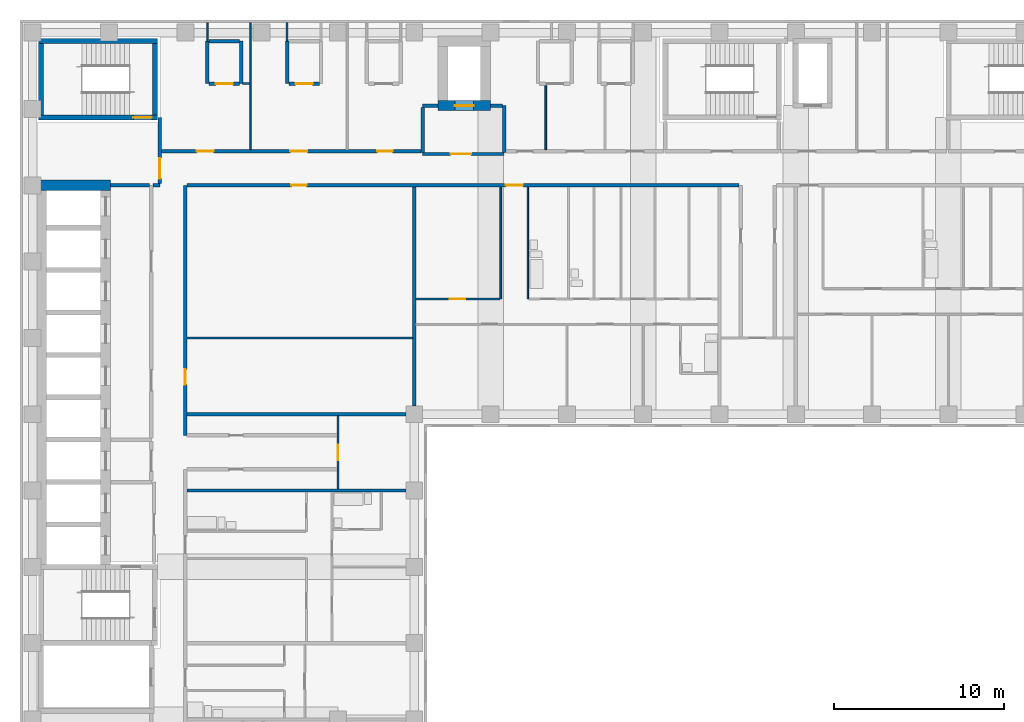
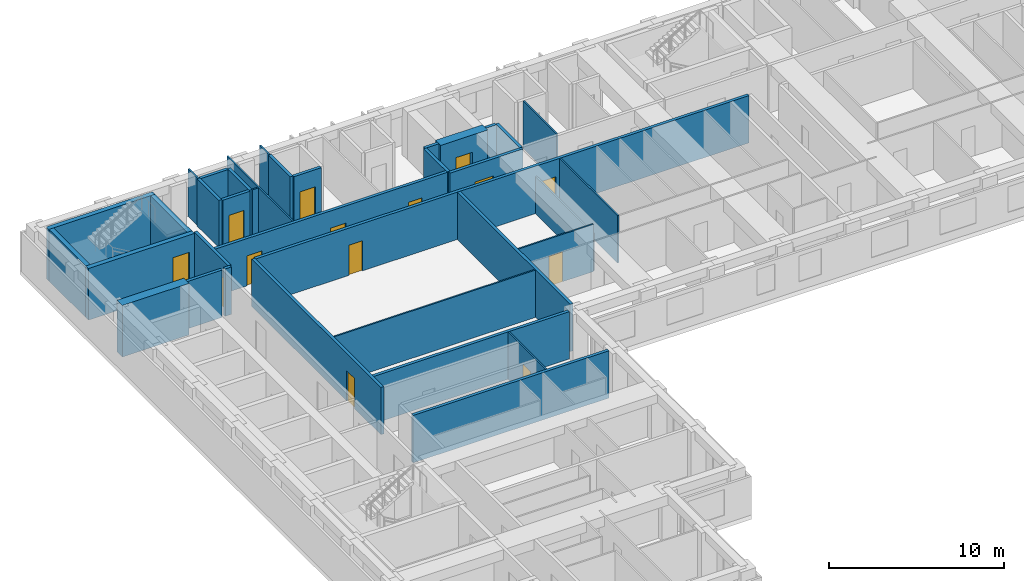
# One storey, part 5 of 12: 36 walls, 14 doors, 14 openings.
"""IFC4 building model written with IfcOpenShell, lengths in metres."""

from ifc_helpers import new_model, si_unit, direction, frame, frame_2d, origin, place, context, subcontext, project, spatial, rectangle, extrude, material, layer, layer_set, type_object, element, fill, save


model = new_model("IFC4")

# Units and contexts
model_context = context("Model", 3, precision=1e-05, world=origin(), true_north=direction((0.0, 1.0)))
body_context = subcontext(model_context, "Body", "Model", "MODEL_VIEW")
ifc_project = project(units=[si_unit("LENGTHUNIT", "METRE"), si_unit("AREAUNIT", "SQUARE_METRE"), si_unit("VOLUMEUNIT", "CUBIC_METRE"), si_unit("PLANEANGLEUNIT", "RADIAN"), si_unit("MASSUNIT", "GRAM", prefix="KILO")], contexts=[model_context])

# Site, building, storey
site_placement = place(None, origin())
site = spatial("IfcSite", under=ifc_project, at=site_placement, CompositionType="ELEMENT")
building_placement = place(site_placement, origin())
building = spatial("IfcBuilding", under=site, at=building_placement, Name="Firuza Court", CompositionType="ELEMENT")
storey_placement = place(building_placement, frame((0.0, 0.0, 155.60009765625)))
storey = spatial("IfcBuildingStorey", under=building, at=storey_placement, Name="L39", CompositionType="ELEMENT", Elevation=155.60009765625)

# Wall
ifc_material_1 = material(Name="Moisture-resistant gypsum board partition")
ifc_layer_1 = layer(ifc_material_1, 0.10009765625)
ifc_layer_set_1 = layer_set([ifc_layer_1], Name="Moisture-resistant gypsum board partition")
wall_type_1 = type_object("IfcWallType", Name="Bathroom partition 100", PredefinedType="PLUMBINGWALL", material=ifc_layer_set_1)
wall_1_placement = place(storey_placement, frame((29.199951171875, 42.800048828125, 0.0), z_axis=(0.0, 0.0, 1.0), x_axis=(0.0, 1.0, 0.0)))
element("IfcWall", 1, at=wall_1_placement, inside=storey, type_object=wall_type_1, Name="Bathroom partition 100 L39", PredefinedType="PLUMBINGWALL", context=body_context, shape_type="SweptSolid", body=[
    extrude(rectangle(XDim=6.599853515625, YDim=0.10009765625, at=frame_2d((3.2998046875, 0.0))), origin(), (0.0, 0.0, 1.0), 3.2998046875),
])

# Wall, opening, door
ifc_material_2 = material(Name="Concrete C60/75", Category="concrete")
ifc_layer_2 = layer(ifc_material_2, 0.300048828125)
ifc_layer_set_2 = layer_set([ifc_layer_2], Name="Concrete C60/75")
wall_type_2 = type_object("IfcWallType", Name="Core wall 300 C60/75", PredefinedType="SHEAR", material=ifc_layer_set_2)
wall_2_placement = place(storey_placement, frame((0.35009765625, 53.5, -0.300048828125), z_axis=(0.0, 0.0, 1.0), x_axis=(1.0, 0.0, 0.0)))
wall_2 = element("IfcWall", 2, at=wall_2_placement, inside=storey, type_object=wall_type_2, Name="Core wall stair L39", PredefinedType="SHEAR", context=body_context, shape_type="SweptSolid", body=[
    extrude(rectangle(XDim=7.0, YDim=0.300048828125, at=frame_2d((3.5, 0.0))), origin(), (0.0, 0.0, 1.0), 3.599853515625),
])
opening_1_placement = place(wall_2_placement, frame((5.580078125, 0.0, 0.300048828125)))
opening_1 = element("IfcOpeningElement", 3, at=opening_1_placement, cuts=wall_2, Name="Opening D39015", PredefinedType="OPENING", context=body_context, shape_type="SweptSolid", body=[
    extrude(rectangle(XDim=1.10009765625, YDim=2.10009765625, at=frame_2d((0.550048828125, 1.050048828125))), frame((0.0, 0.162109375, 0.0), z_axis=(0.0, -1.0, 0.0), x_axis=(1.0, 0.0, 0.0)), (0.0, 0.0, 1.0), 0.323974609375),
])
ifc_material_3 = material(Name="Timber door leaf in hardwood frame", Category="wood")
door_type_1 = type_object("IfcDoorType", Name="Stair door 1100", OperationType="SINGLE_SWING_LEFT", PredefinedType="DOOR", material=ifc_material_3)
door_1_placement = place(opening_1_placement, origin())
door_1 = element("IfcDoor", 4, at=door_1_placement, inside=storey, type_object=door_type_1, Name="Stair door S3", OperationType="SINGLE_SWING_RIGHT", OverallHeight=2.10009765625, OverallWidth=1.10009765625, PredefinedType="DOOR", context=body_context, shape_type="SweptSolid", body=[
    extrude(rectangle(XDim=1.10009765625, YDim=2.10009765625, at=frame_2d((0.550048828125, 1.050048828125))), frame((0.0, 0.02490234375, 0.0), z_axis=(0.0, -1.0, 0.0), x_axis=(1.0, 0.0, 0.0)), (0.0, 0.0, 1.0), 0.050048828125),
])
fill(opening_1, door_1)

# Walls
wall_3_placement = place(storey_placement, frame((0.35009765625, 58.0, -0.300048828125), z_axis=(0.0, 0.0, 1.0), x_axis=(1.0, 0.0, 0.0)))
element("IfcWall", 5, at=wall_3_placement, inside=storey, type_object=wall_type_2, Name="Core wall stair L39", PredefinedType="SHEAR", context=body_context, shape_type="SweptSolid", body=[
    extrude(rectangle(XDim=7.0, YDim=0.300048828125, at=frame_2d((3.5, 0.0))), origin(), (0.0, 0.0, 1.0), 3.599853515625),
])
for number, where, z_axis, x_axis, name in (
    (6, (0.5, 53.64990234375, -0.300048828125), (0.0, 0.0, 1.0), (0.0, 1.0, 0.0), "Core wall stair L39"),
    (7, (7.199951171875, 53.64990234375, -0.300048828125), (0.0, 0.0, 1.0), (0.0, 1.0, 0.0), "Core wall stair L39"),
):
    element("IfcWall", number, at=place(storey_placement, frame(where, z_axis=z_axis, x_axis=x_axis)), inside=storey, type_object=wall_type_2, Name=name, PredefinedType="SHEAR", context=body_context, shape_type="SweptSolid", body=[
        extrude(rectangle(XDim=4.2001953125, YDim=0.300048828125, at=frame_2d((2.10009765625, 0.0))), origin(), (0.0, 0.0, 1.0), 3.599853515625),
    ])
ifc_layer_3 = layer(ifc_material_2, 0.60009765625)
ifc_layer_set_3 = layer_set([ifc_layer_3], Name="Concrete C60/75")
wall_type_3 = type_object("IfcWallType", Name="Core wall 600 C60/75", PredefinedType="SHEAR", material=ifc_layer_set_3)
wall_4_placement = place(storey_placement, frame((0.199951171875, 49.5, -0.300048828125), z_axis=(0.0, 0.0, 1.0), x_axis=(1.0, 0.0, 0.0)))
element("IfcWall", 8, at=wall_4_placement, inside=storey, type_object=wall_type_3, Name="Core wall lift shaft L39", PredefinedType="SHEAR", context=body_context, shape_type="SweptSolid", body=[
    extrude(rectangle(XDim=4.400146484375, YDim=0.60009765625, at=frame_2d((2.2001953125, 0.0))), origin(), (0.0, 0.0, 1.0), 3.599853515625),
])

# Wall, opening, door
wall_5_placement = place(storey_placement, frame((23.89990234375, 54.199951171875, -0.300048828125), z_axis=(0.0, 0.0, 1.0), x_axis=(1.0, 0.0, 0.0)))
wall_5 = element("IfcWall", 9, at=wall_5_placement, inside=storey, type_object=wall_type_3, Name="Core wall lift shaft L39", PredefinedType="SHEAR", context=body_context, shape_type="SweptSolid", body=[
    extrude(rectangle(XDim=3.10009765625, YDim=0.60009765625, at=frame_2d((1.550048828125, 0.0))), origin(), (0.0, 0.0, 1.0), 3.599853515625),
])
opening_2_placement = place(wall_5_placement, frame((1.0, 0.0, 0.300048828125)))
opening_2 = element("IfcOpeningElement", 10, at=opening_2_placement, cuts=wall_5, Name="Opening LD-FL3-39", PredefinedType="OPENING", context=body_context, shape_type="SweptSolid", body=[
    extrude(rectangle(XDim=1.10009765625, YDim=2.10009765625, at=frame_2d((0.550048828125, 1.050048828125))), frame((0.0, 0.31201171875, 0.0), z_axis=(0.0, -1.0, 0.0), x_axis=(1.0, 0.0, 0.0)), (0.0, 0.0, 1.0), 0.6240234375),
])
ifc_material_4 = material(Name="Stainless steel 1.4301 door leaf", Category="steel")
door_type_2 = type_object("IfcDoorType", Name="Lift landing door 1100", OperationType="SLIDING_TO_LEFT", PredefinedType="DOOR", material=ifc_material_4)
door_2_placement = place(opening_2_placement, origin())
door_2 = element("IfcDoor", 11, at=door_2_placement, inside=storey, type_object=door_type_2, Name="Landing door FL3", OperationType="SLIDING_TO_LEFT", OverallHeight=2.10009765625, OverallWidth=1.10009765625, PredefinedType="DOOR", context=body_context, shape_type="SweptSolid", body=[
    extrude(rectangle(XDim=1.10009765625, YDim=2.10009765625, at=frame_2d((0.550048828125, 1.050048828125))), frame((0.0, 0.02490234375, 0.0), z_axis=(0.0, -1.0, 0.0), x_axis=(1.0, 0.0, 0.0)), (0.0, 0.0, 1.0), 0.050048828125),
])
fill(opening_2, door_2)

ifc_material_5 = material(Name="Blockwork, plastered both sides", Category="masonry")
ifc_layer_4 = layer(ifc_material_5, 0.199951171875)
ifc_layer_set_4 = layer_set([ifc_layer_4], Name="Blockwork, plastered both sides")
wall_type_4 = type_object("IfcWallType", Name="Corridor wall 200", PredefinedType="PARTITIONING", material=ifc_layer_set_4)
wall_6_placement = place(storey_placement, frame((9.0, 34.75, 0.0), z_axis=(0.0, 0.0, 1.0), x_axis=(0.0, 1.0, 0.0)))
wall_6 = element("IfcWall", 12, at=wall_6_placement, inside=storey, type_object=wall_type_4, Name="Corridor wall 200 L39", PredefinedType="PARTITIONING", context=body_context, shape_type="SweptSolid", body=[
    extrude(rectangle(XDim=14.75, YDim=0.199951171875, at=frame_2d((7.375, 0.0))), origin(), (0.0, 0.0, 1.0), 3.2998046875),
])
opening_3_placement = place(wall_6_placement, frame((3.0, 0.0, 0.0)))
opening_3 = element("IfcOpeningElement", 13, at=opening_3_placement, cuts=wall_6, Name="Opening D39037", PredefinedType="OPENING", context=body_context, shape_type="SweptSolid", body=[
    extrude(rectangle(XDim=0.89990234375, YDim=2.10009765625, at=frame_2d((0.449951171875, 1.050048828125))), frame((0.0, 0.11181640625, 0.0), z_axis=(0.0, -1.0, 0.0), x_axis=(1.0, 0.0, 0.0)), (0.0, 0.0, 1.0), 0.223876953125),
])
ifc_material_6 = material(Name="Timber door leaf in hardwood frame", Category="wood")
door_type_3 = type_object("IfcDoorType", Name="Room door 900 EI 30", OperationType="SINGLE_SWING_LEFT", PredefinedType="DOOR", material=ifc_material_6)
door_3_placement = place(opening_3_placement, origin())
door_3 = element("IfcDoor", 14, at=door_3_placement, inside=storey, type_object=door_type_3, Name="Fitness studio door", OperationType="SINGLE_SWING_LEFT", OverallHeight=2.10009765625, OverallWidth=0.89990234375, PredefinedType="DOOR", context=body_context, shape_type="SweptSolid", body=[
    extrude(rectangle(XDim=0.89990234375, YDim=2.10009765625, at=frame_2d((0.449951171875, 1.050048828125))), frame((0.0, 0.02490234375, 0.0), z_axis=(0.0, -1.0, 0.0), x_axis=(1.0, 0.0, 0.0)), (0.0, 0.0, 1.0), 0.050048828125),
])
fill(opening_3, door_3)

# Wall, openings, doors
wall_7_placement = place(storey_placement, frame((9.10009765625, 49.5, 0.0), z_axis=(0.0, 0.0, 1.0), x_axis=(1.0, 0.0, 0.0)))
wall_7 = element("IfcWall", 15, at=wall_7_placement, inside=storey, type_object=wall_type_4, Name="Corridor wall 200 L39", PredefinedType="PARTITIONING", context=body_context, shape_type="SweptSolid", body=[
    extrude(rectangle(XDim=32.5498046875, YDim=0.199951171875, at=frame_2d((16.27490234375, 0.0))), origin(), (0.0, 0.0, 1.0), 3.2998046875),
])
opening_4_placement = place(wall_7_placement, frame((18.800048828125, 0.0, 0.0)))
opening_4 = element("IfcOpeningElement", 16, at=opening_4_placement, cuts=wall_7, Name="Opening D39066", PredefinedType="OPENING", context=body_context, shape_type="SweptSolid", body=[
    extrude(rectangle(XDim=1.0, YDim=2.10009765625, at=frame_2d((0.5, 1.050048828125))), frame((0.0, 0.11181640625, 0.0), z_axis=(0.0, -1.0, 0.0), x_axis=(1.0, 0.0, 0.0)), (0.0, 0.0, 1.0), 0.223876953125),
])
opening_5_placement = place(wall_7_placement, frame((6.14990234375, 0.0, 0.0)))
opening_5 = element("IfcOpeningElement", 17, at=opening_5_placement, cuts=wall_7, Name="Opening D39067", PredefinedType="OPENING", context=body_context, shape_type="SweptSolid", body=[
    extrude(rectangle(XDim=0.89990234375, YDim=2.10009765625, at=frame_2d((0.449951171875, 1.050048828125))), frame((0.0, 0.11181640625, 0.0), z_axis=(0.0, -1.0, 0.0), x_axis=(1.0, 0.0, 0.0)), (0.0, 0.0, 1.0), 0.223876953125),
])
ifc_material_7 = material(Name="Timber door leaf in hardwood frame", Category="wood")
door_type_4 = type_object("IfcDoorType", Name="Flat entrance door 1000", OperationType="SINGLE_SWING_LEFT", PredefinedType="DOOR", material=ifc_material_7)
door_4_placement = place(opening_4_placement, origin())
door_4 = element("IfcDoor", 18, at=door_4_placement, inside=storey, type_object=door_type_4, Name="Flat entrance door", OperationType="SINGLE_SWING_LEFT", OverallHeight=2.10009765625, OverallWidth=1.0, PredefinedType="DOOR", context=body_context, shape_type="SweptSolid", body=[
    extrude(rectangle(XDim=1.0, YDim=2.10009765625, at=frame_2d((0.5, 1.050048828125))), frame((0.0, 0.02490234375, 0.0), z_axis=(0.0, -1.0, 0.0), x_axis=(1.0, 0.0, 0.0)), (0.0, 0.0, 1.0), 0.050048828125),
])
fill(opening_4, door_4)
door_5_placement = place(opening_5_placement, frame((0.89990234375, 0.0, 0.0), z_axis=(0.0, 0.0, 1.0), x_axis=(-1.0, 0.0, 0.0)))
door_5 = element("IfcDoor", 19, at=door_5_placement, inside=storey, type_object=door_type_3, Name="Playroom door", OperationType="SINGLE_SWING_RIGHT", OverallHeight=2.10009765625, OverallWidth=0.89990234375, PredefinedType="DOOR", context=body_context, shape_type="SweptSolid", body=[
    extrude(rectangle(XDim=0.89990234375, YDim=2.10009765625, at=frame_2d((0.449951171875, 1.050048828125))), frame((0.0, 0.02490234375, 0.0), z_axis=(0.0, -1.0, 0.0), x_axis=(1.0, 0.0, 0.0)), (0.0, 0.0, 1.0), 0.050048828125),
])
fill(opening_5, door_5)

wall_8_placement = place(storey_placement, frame((7.60009765625, 51.5, 0.0), z_axis=(0.0, 0.0, 1.0), x_axis=(1.0, 0.0, 0.0)))
wall_8 = element("IfcWall", 20, at=wall_8_placement, inside=storey, type_object=wall_type_4, Name="Corridor wall 200 L39", PredefinedType="PARTITIONING", context=body_context, shape_type="SweptSolid", body=[
    extrude(rectangle(XDim=15.2998046875, YDim=0.199951171875, at=frame_2d((7.64990234375, 0.0))), origin(), (0.0, 0.0, 1.0), 3.2998046875),
])
opening_6_placement = place(wall_8_placement, frame((2.074951171875, 0.0, 0.0)))
opening_6 = element("IfcOpeningElement", 21, at=opening_6_placement, cuts=wall_8, Name="Opening D39070", PredefinedType="OPENING", context=body_context, shape_type="SweptSolid", body=[
    extrude(rectangle(XDim=1.0, YDim=2.10009765625, at=frame_2d((0.5, 1.050048828125))), frame((0.0, 0.11181640625, 0.0), z_axis=(0.0, -1.0, 0.0), x_axis=(1.0, 0.0, 0.0)), (0.0, 0.0, 1.0), 0.223876953125),
])
opening_7_placement = place(wall_8_placement, frame((7.60009765625, 0.0, 0.0)))
opening_7 = element("IfcOpeningElement", 22, at=opening_7_placement, cuts=wall_8, Name="Opening D39071", PredefinedType="OPENING", context=body_context, shape_type="SweptSolid", body=[
    extrude(rectangle(XDim=1.0, YDim=2.10009765625, at=frame_2d((0.5, 1.050048828125))), frame((0.0, 0.11181640625, 0.0), z_axis=(0.0, -1.0, 0.0), x_axis=(1.0, 0.0, 0.0)), (0.0, 0.0, 1.0), 0.223876953125),
])
opening_8_placement = place(wall_8_placement, frame((12.72509765625, 0.0, 0.0)))
opening_8 = element("IfcOpeningElement", 23, at=opening_8_placement, cuts=wall_8, Name="Opening D39072", PredefinedType="OPENING", context=body_context, shape_type="SweptSolid", body=[
    extrude(rectangle(XDim=0.89990234375, YDim=2.10009765625, at=frame_2d((0.449951171875, 1.050048828125))), frame((0.0, 0.11181640625, 0.0), z_axis=(0.0, -1.0, 0.0), x_axis=(1.0, 0.0, 0.0)), (0.0, 0.0, 1.0), 0.223876953125),
])
door_6_placement = place(opening_8_placement, origin())
door_6 = element("IfcDoor", 24, at=door_6_placement, inside=storey, type_object=door_type_3, Name="Meeting room door", OperationType="SINGLE_SWING_LEFT", OverallHeight=2.10009765625, OverallWidth=0.89990234375, PredefinedType="DOOR", context=body_context, shape_type="SweptSolid", body=[
    extrude(rectangle(XDim=0.89990234375, YDim=2.10009765625, at=frame_2d((0.449951171875, 1.050048828125))), frame((0.0, 0.02490234375, 0.0), z_axis=(0.0, -1.0, 0.0), x_axis=(1.0, 0.0, 0.0)), (0.0, 0.0, 1.0), 0.050048828125),
])
fill(opening_8, door_6)
ifc_material_8 = material(Name="Timber door leaf in hardwood frame", Category="wood")
door_type_5 = type_object("IfcDoorType", Name="Store door 1000", OperationType="SINGLE_SWING_LEFT", PredefinedType="DOOR", material=ifc_material_8)
door_7_placement = place(opening_6_placement, origin())
door_7 = element("IfcDoor", 25, at=door_7_placement, inside=storey, type_object=door_type_5, Name="Comms room door", OperationType="SINGLE_SWING_LEFT", OverallHeight=2.10009765625, OverallWidth=1.0, PredefinedType="DOOR", context=body_context, shape_type="SweptSolid", body=[
    extrude(rectangle(XDim=1.0, YDim=2.10009765625, at=frame_2d((0.5, 1.050048828125))), frame((0.0, 0.02490234375, 0.0), z_axis=(0.0, -1.0, 0.0), x_axis=(1.0, 0.0, 0.0)), (0.0, 0.0, 1.0), 0.050048828125),
])
fill(opening_6, door_7)
door_8_placement = place(opening_7_placement, origin())
door_8 = element("IfcDoor", 26, at=door_8_placement, inside=storey, type_object=door_type_5, Name="Bicycle store door", OperationType="SINGLE_SWING_LEFT", OverallHeight=2.10009765625, OverallWidth=1.0, PredefinedType="DOOR", context=body_context, shape_type="SweptSolid", body=[
    extrude(rectangle(XDim=1.0, YDim=2.10009765625, at=frame_2d((0.5, 1.050048828125))), frame((0.0, 0.02490234375, 0.0), z_axis=(0.0, -1.0, 0.0), x_axis=(1.0, 0.0, 0.0)), (0.0, 0.0, 1.0), 0.050048828125),
])
fill(opening_7, door_8)

# Wall, opening, door
ifc_material_9 = material(Name="Timber stud partition, plasterboard both sides", Category="wood")
ifc_layer_5 = layer(ifc_material_9, 0.10009765625)
ifc_layer_set_5 = layer_set([ifc_layer_5], Name="Timber stud partition, plasterboard both sides")
wall_type_5 = type_object("IfcWallType", Name="Partition wall 100", PredefinedType="PARTITIONING", material=ifc_layer_set_5)
wall_9_placement = place(storey_placement, frame((18.0, 31.60009765625, 0.0), z_axis=(0.0, 0.0, 1.0), x_axis=(0.0, 1.0, 0.0)))
wall_9 = element("IfcWall", 27, at=wall_9_placement, inside=storey, type_object=wall_type_5, Name="Partition wall 100 L39", PredefinedType="PARTITIONING", context=body_context, shape_type="SweptSolid", body=[
    extrude(rectangle(XDim=4.2998046875, YDim=0.10009765625, at=frame_2d((2.14990234375, 0.0))), origin(), (0.0, 0.0, 1.0), 3.2998046875),
])
opening_9_placement = place(wall_9_placement, frame((1.699951171875, 0.0, 0.0)))
opening_9 = element("IfcOpeningElement", 28, at=opening_9_placement, cuts=wall_9, Name="Opening D39035", PredefinedType="OPENING", context=body_context, shape_type="SweptSolid", body=[
    extrude(rectangle(XDim=0.89990234375, YDim=2.10009765625, at=frame_2d((0.449951171875, 1.050048828125))), frame((0.0, 0.06201171875, 0.0), z_axis=(0.0, -1.0, 0.0), x_axis=(1.0, 0.0, 0.0)), (0.0, 0.0, 1.0), 0.1240234375),
])
ifc_material_10 = material(Name="Timber door leaf in hardwood frame", Category="wood")
door_type_6 = type_object("IfcDoorType", Name="Room door 900", OperationType="SINGLE_SWING_LEFT", PredefinedType="DOOR", material=ifc_material_10)
door_9_placement = place(opening_9_placement, origin())
door_9 = element("IfcDoor", 29, at=door_9_placement, inside=storey, type_object=door_type_6, Name="Residents' lounge door", OperationType="SINGLE_SWING_LEFT", OverallHeight=2.10009765625, OverallWidth=0.89990234375, PredefinedType="DOOR", context=body_context, shape_type="SweptSolid", body=[
    extrude(rectangle(XDim=0.89990234375, YDim=2.10009765625, at=frame_2d((0.449951171875, 1.050048828125))), frame((0.0, 0.02490234375, 0.0), z_axis=(0.0, -1.0, 0.0), x_axis=(1.0, 0.0, 0.0)), (0.0, 0.0, 1.0), 0.050048828125),
])
fill(opening_9, door_9)

# Wall
wall_10_placement = place(storey_placement, frame((9.10009765625, 40.5, 0.0), z_axis=(0.0, 0.0, 1.0), x_axis=(1.0, 0.0, 0.0)))
element("IfcWall", 30, at=wall_10_placement, inside=storey, type_object=wall_type_5, Name="Partition wall 100 L39", PredefinedType="PARTITIONING", context=body_context, shape_type="SweptSolid", body=[
    extrude(rectangle(XDim=13.2998046875, YDim=0.10009765625, at=frame_2d((6.64990234375, 0.0))), origin(), (0.0, 0.0, 1.0), 3.2998046875),
])

# Wall, opening, door
wall_11_placement = place(storey_placement, frame((22.60009765625, 42.800048828125, 0.0), z_axis=(0.0, 0.0, 1.0), x_axis=(1.0, 0.0, 0.0)))
wall_11 = element("IfcWall", 31, at=wall_11_placement, inside=storey, type_object=wall_type_5, Name="Partition wall 100 L39", PredefinedType="PARTITIONING", context=body_context, shape_type="SweptSolid", body=[
    extrude(rectangle(XDim=4.949951171875, YDim=0.10009765625, at=frame_2d((2.47509765625, 0.0))), origin(), (0.0, 0.0, 1.0), 3.2998046875),
])
opening_10_placement = place(wall_11_placement, frame((2.0, 0.0, 0.0)))
opening_10 = element("IfcOpeningElement", 32, at=opening_10_placement, cuts=wall_11, Name="Opening D39053", PredefinedType="OPENING", context=body_context, shape_type="SweptSolid", body=[
    extrude(rectangle(XDim=0.89990234375, YDim=2.10009765625, at=frame_2d((0.449951171875, 1.050048828125))), frame((0.0, 0.06201171875, 0.0), z_axis=(0.0, -1.0, 0.0), x_axis=(1.0, 0.0, 0.0)), (0.0, 0.0, 1.0), 0.1240234375),
])
door_10_placement = place(opening_10_placement, origin())
door_10 = element("IfcDoor", 33, at=door_10_placement, inside=storey, type_object=door_type_6, Name="Kitchen door", OperationType="SINGLE_SWING_LEFT", OverallHeight=2.10009765625, OverallWidth=0.89990234375, PredefinedType="DOOR", context=body_context, shape_type="SweptSolid", body=[
    extrude(rectangle(XDim=0.89990234375, YDim=2.10009765625, at=frame_2d((0.449951171875, 1.050048828125))), frame((0.0, 0.02490234375, 0.0), z_axis=(0.0, -1.0, 0.0), x_axis=(1.0, 0.0, 0.0)), (0.0, 0.0, 1.0), 0.050048828125),
])
fill(opening_10, door_10)

# Walls
wall_12_placement = place(storey_placement, frame((27.60009765625, 42.800048828125, 0.0), z_axis=(0.0, 0.0, 1.0), x_axis=(0.0, 1.0, 0.0)))
element("IfcWall", 34, at=wall_12_placement, inside=storey, type_object=wall_type_5, Name="Partition wall 100 L39", PredefinedType="PARTITIONING", context=body_context, shape_type="SweptSolid", body=[
    extrude(rectangle(XDim=6.599853515625, YDim=0.10009765625, at=frame_2d((3.2998046875, 0.0))), origin(), (0.0, 0.0, 1.0), 2.599853515625),
])
wall_13_placement = place(storey_placement, frame((12.85009765625, 51.60009765625, 0.0), z_axis=(0.0, 0.0, 1.0), x_axis=(0.0, 1.0, 0.0)))
element("IfcWall", 35, at=wall_13_placement, inside=storey, type_object=wall_type_5, Name="Partition wall 100 L39", PredefinedType="PARTITIONING", context=body_context, shape_type="SweptSolid", body=[
    extrude(rectangle(XDim=7.5, YDim=0.10009765625, at=frame_2d((3.75, 0.0))), origin(), (0.0, 0.0, 1.0), 3.2998046875),
])
wall_14_placement = place(storey_placement, frame((30.25, 51.60009765625, 0.0), z_axis=(0.0, 0.0, 1.0), x_axis=(0.0, 1.0, 0.0)))
element("IfcWall", 36, at=wall_14_placement, inside=storey, type_object=wall_type_5, Name="Partition wall 100 L39", PredefinedType="PARTITIONING", context=body_context, shape_type="SweptSolid", body=[
    extrude(rectangle(XDim=3.7998046875, YDim=0.10009765625, at=frame_2d((1.89990234375, 0.0))), origin(), (0.0, 0.0, 1.0), 3.2998046875),
])
wall_15_placement = place(storey_placement, frame((12.39990234375, 55.5, 0.0), z_axis=(0.0, 0.0, 1.0), x_axis=(1.0, 0.0, 0.0)))
element("IfcWall", 37, at=wall_15_placement, inside=storey, type_object=wall_type_5, Name="Partition wall 100 L39", PredefinedType="PARTITIONING", context=body_context, shape_type="SweptSolid", body=[
    extrude(rectangle(XDim=0.400146484375, YDim=0.10009765625, at=frame_2d((0.2001953125, 0.0))), origin(), (0.0, 0.0, 1.0), 3.2998046875),
])
for number, where, z_axis, x_axis, name in (
    (38, (10.300048828125, 58.0, 0.0), (0.0, 0.0, 1.0), (0.0, 1.0, 0.0), "Partition wall 100 L39"),
    (39, (15.0, 58.0, 0.0), (0.0, 0.0, 1.0), (0.0, 1.0, 0.0), "Partition wall 100 L39"),
):
    element("IfcWall", number, at=place(storey_placement, frame(where, z_axis=z_axis, x_axis=x_axis)), inside=storey, type_object=wall_type_5, Name=name, PredefinedType="PARTITIONING", context=body_context, shape_type="SweptSolid", body=[
        extrude(rectangle(XDim=1.10009765625, YDim=0.10009765625, at=frame_2d((0.550048828125, 0.0))), origin(), (0.0, 0.0, 1.0), 3.2998046875),
    ])
ifc_layer_6 = layer(ifc_material_5, 0.199951171875)
ifc_layer_set_6 = layer_set([ifc_layer_6], Name="Blockwork, plastered both sides")
wall_type_6 = type_object("IfcWallType", Name="Party wall 200", PredefinedType="PARTITIONING", material=ifc_layer_set_6)
for number, where, z_axis, x_axis, name in (
    (40, (9.10009765625, 31.5, 0.0), (0.0, 0.0, 1.0), (1.0, 0.0, 0.0), "Party wall 200 L39"),
    (41, (9.10009765625, 36.0, 0.0), (0.0, 0.0, 1.0), (1.0, 0.0, 0.0), "Party wall 200 L39"),
    (42, (22.5, 36.5, 0.0), (0.0, 0.0, 1.0), (0.0, 1.0, 0.0), "Party wall 200 L39"),
):
    element("IfcWall", number, at=place(storey_placement, frame(where, z_axis=z_axis, x_axis=x_axis)), inside=storey, type_object=wall_type_6, Name=name, PredefinedType="PARTITIONING", context=body_context, shape_type="SweptSolid", body=[
        extrude(rectangle(XDim=12.89990234375, YDim=0.199951171875, at=frame_2d((6.449951171875, 0.0))), origin(), (0.0, 0.0, 1.0), 3.2998046875),
    ])
ifc_material_11 = material(Name="Blockwork, fire-rated", Category="masonry")
ifc_layer_7 = layer(ifc_material_11, 0.199951171875)
ifc_layer_set_7 = layer_set([ifc_layer_7], Name="Blockwork, fire-rated")
wall_type_7 = type_object("IfcWallType", Name="Plant room wall 200", PredefinedType="PARTITIONING", material=ifc_layer_set_7)
wall_16_placement = place(storey_placement, frame((10.300048828125, 55.5, 0.0), z_axis=(0.0, 0.0, 1.0), x_axis=(0.0, 1.0, 0.0)))
element("IfcWall", 43, at=wall_16_placement, inside=storey, type_object=wall_type_7, Name="Plant room wall 200 L39", PredefinedType="PARTITIONING", context=body_context, shape_type="SweptSolid", body=[
    extrude(rectangle(XDim=2.5, YDim=0.199951171875, at=frame_2d((1.25, 0.0))), origin(), (0.0, 0.0, 1.0), 3.2998046875),
])

# Wall, opening, door
wall_17_placement = place(storey_placement, frame((10.39990234375, 55.5, 0.0), z_axis=(0.0, 0.0, 1.0), x_axis=(1.0, 0.0, 0.0)))
wall_17 = element("IfcWall", 44, at=wall_17_placement, inside=storey, type_object=wall_type_7, Name="Plant room wall 200 L39", PredefinedType="PARTITIONING", context=body_context, shape_type="SweptSolid", body=[
    extrude(rectangle(XDim=1.800048828125, YDim=0.199951171875, at=frame_2d((0.89990234375, 0.0))), origin(), (0.0, 0.0, 1.0), 3.2998046875),
])
opening_11_placement = place(wall_17_placement, frame((0.39990234375, 0.0, 0.0)))
opening_11 = element("IfcOpeningElement", 45, at=opening_11_placement, cuts=wall_17, Name="Opening D39080", PredefinedType="OPENING", context=body_context, shape_type="SweptSolid", body=[
    extrude(rectangle(XDim=1.0, YDim=2.10009765625, at=frame_2d((0.5, 1.050048828125))), frame((0.0, 0.11181640625, 0.0), z_axis=(0.0, -1.0, 0.0), x_axis=(1.0, 0.0, 0.0)), (0.0, 0.0, 1.0), 0.223876953125),
])
ifc_material_12 = material(Name="Timber door leaf in hardwood frame", Category="wood")
door_type_7 = type_object("IfcDoorType", Name="Riser door 1000", OperationType="SINGLE_SWING_LEFT", PredefinedType="DOOR", material=ifc_material_12)
door_11_placement = place(opening_11_placement, origin())
door_11 = element("IfcDoor", 46, at=door_11_placement, inside=storey, type_object=door_type_7, Name="Comms riser door", OperationType="SINGLE_SWING_LEFT", OverallHeight=2.10009765625, OverallWidth=1.0, PredefinedType="DOOR", context=body_context, shape_type="SweptSolid", body=[
    extrude(rectangle(XDim=1.0, YDim=2.10009765625, at=frame_2d((0.5, 1.050048828125))), frame((0.0, 0.02490234375, 0.0), z_axis=(0.0, -1.0, 0.0), x_axis=(1.0, 0.0, 0.0)), (0.0, 0.0, 1.0), 0.050048828125),
])
fill(opening_11, door_11)

# Walls
for number, where, z_axis, x_axis, name in (
    (47, (12.300048828125, 55.5, 0.0), (0.0, 0.0, 1.0), (0.0, 1.0, 0.0), "Plant room wall 200 L39"),
    (48, (15.0, 55.5, 0.0), (0.0, 0.0, 1.0), (0.0, 1.0, 0.0), "Plant room wall 200 L39"),
):
    element("IfcWall", number, at=place(storey_placement, frame(where, z_axis=z_axis, x_axis=x_axis)), inside=storey, type_object=wall_type_7, Name=name, PredefinedType="PARTITIONING", context=body_context, shape_type="SweptSolid", body=[
        extrude(rectangle(XDim=2.5, YDim=0.199951171875, at=frame_2d((1.25, 0.0))), origin(), (0.0, 0.0, 1.0), 3.2998046875),
    ])

# Wall, opening, door
wall_18_placement = place(storey_placement, frame((15.10009765625, 55.5, 0.0), z_axis=(0.0, 0.0, 1.0), x_axis=(1.0, 0.0, 0.0)))
wall_18 = element("IfcWall", 49, at=wall_18_placement, inside=storey, type_object=wall_type_7, Name="Plant room wall 200 L39", PredefinedType="PARTITIONING", context=body_context, shape_type="SweptSolid", body=[
    extrude(rectangle(XDim=1.7998046875, YDim=0.199951171875, at=frame_2d((0.89990234375, 0.0))), origin(), (0.0, 0.0, 1.0), 3.2998046875),
])
opening_12_placement = place(wall_18_placement, frame((0.39990234375, 0.0, 0.0)))
opening_12 = element("IfcOpeningElement", 50, at=opening_12_placement, cuts=wall_18, Name="Opening D39081", PredefinedType="OPENING", context=body_context, shape_type="SweptSolid", body=[
    extrude(rectangle(XDim=1.0, YDim=2.10009765625, at=frame_2d((0.5, 1.050048828125))), frame((0.0, 0.11181640625, 0.0), z_axis=(0.0, -1.0, 0.0), x_axis=(1.0, 0.0, 0.0)), (0.0, 0.0, 1.0), 0.223876953125),
])
door_12_placement = place(opening_12_placement, origin())
door_12 = element("IfcDoor", 51, at=door_12_placement, inside=storey, type_object=door_type_7, Name="Electrical riser door", OperationType="SINGLE_SWING_LEFT", OverallHeight=2.10009765625, OverallWidth=1.0, PredefinedType="DOOR", context=body_context, shape_type="SweptSolid", body=[
    extrude(rectangle(XDim=1.0, YDim=2.10009765625, at=frame_2d((0.5, 1.050048828125))), frame((0.0, 0.02490234375, 0.0), z_axis=(0.0, -1.0, 0.0), x_axis=(1.0, 0.0, 0.0)), (0.0, 0.0, 1.0), 0.050048828125),
])
fill(opening_12, door_12)

# Walls
wall_19_placement = place(storey_placement, frame((10.39990234375, 58.0, 0.0), z_axis=(0.0, 0.0, 1.0), x_axis=(1.0, 0.0, 0.0)))
element("IfcWall", 52, at=wall_19_placement, inside=storey, type_object=wall_type_7, Name="Plant room wall 200 L39", PredefinedType="PARTITIONING", context=body_context, shape_type="SweptSolid", body=[
    extrude(rectangle(XDim=1.800048828125, YDim=0.199951171875, at=frame_2d((0.89990234375, 0.0))), origin(), (0.0, 0.0, 1.0), 3.2998046875),
])
ifc_layer_8 = layer(ifc_material_11, 0.199951171875)
ifc_layer_set_8 = layer_set([ifc_layer_8], Name="Blockwork, fire-rated")
wall_type_8 = type_object("IfcWallType", Name="Shaft wall 200", PredefinedType="PARTITIONING", material=ifc_layer_set_8)
wall_20_placement = place(storey_placement, frame((4.60009765625, 49.5, 0.0), z_axis=(0.0, 0.0, 1.0), x_axis=(1.0, 0.0, 0.0)))
element("IfcWall", 53, at=wall_20_placement, inside=storey, type_object=wall_type_8, Name="Shaft wall 200 L39", PredefinedType="PARTITIONING", context=body_context, shape_type="SweptSolid", body=[
    extrude(rectangle(XDim=2.2998046875, YDim=0.199951171875, at=frame_2d((1.14990234375, 0.0))), origin(), (0.0, 0.0, 1.0), 3.2998046875),
])

# Wall, opening, door
wall_21_placement = place(storey_placement, frame((23.0, 51.35009765625, 0.0), z_axis=(0.0, 0.0, 1.0), x_axis=(1.0, 0.0, 0.0)))
wall_21 = element("IfcWall", 54, at=wall_21_placement, inside=storey, type_object=wall_type_8, Name="Shaft wall 200 L39", PredefinedType="PARTITIONING", context=body_context, shape_type="SweptSolid", body=[
    extrude(rectangle(XDim=4.800048828125, YDim=0.199951171875, at=frame_2d((2.39990234375, 0.0))), origin(), (0.0, 0.0, 1.0), 3.2998046875),
])
opening_13_placement = place(wall_21_placement, frame((1.64990234375, 0.0, 0.0)))
opening_13 = element("IfcOpeningElement", 55, at=opening_13_placement, cuts=wall_21, Name="Opening D39003", PredefinedType="OPENING", context=body_context, shape_type="SweptSolid", body=[
    extrude(rectangle(XDim=1.199951171875, YDim=2.10009765625, at=frame_2d((0.60009765625, 1.050048828125))), frame((0.0, 0.11181640625, 0.0), z_axis=(0.0, -1.0, 0.0), x_axis=(1.0, 0.0, 0.0)), (0.0, 0.0, 1.0), 0.223876953125),
])
ifc_material_13 = material(Name="Timber door leaf in hardwood frame", Category="wood")
door_type_8 = type_object("IfcDoorType", Name="Lobby door 1200", OperationType="SINGLE_SWING_LEFT", PredefinedType="DOOR", material=ifc_material_13)
door_13_placement = place(opening_13_placement, origin())
door_13 = element("IfcDoor", 56, at=door_13_placement, inside=storey, type_object=door_type_8, Name="Fire-fighting lobby door", OperationType="SINGLE_SWING_LEFT", OverallHeight=2.10009765625, OverallWidth=1.199951171875, PredefinedType="DOOR", context=body_context, shape_type="SweptSolid", body=[
    extrude(rectangle(XDim=1.199951171875, YDim=2.10009765625, at=frame_2d((0.60009765625, 1.050048828125))), frame((0.0, 0.02490234375, 0.0), z_axis=(0.0, -1.0, 0.0), x_axis=(1.0, 0.0, 0.0)), (0.0, 0.0, 1.0), 0.050048828125),
])
fill(opening_13, door_13)

# Walls
wall_22_placement = place(storey_placement, frame((27.800048828125, 51.449951171875, 0.0), z_axis=(0.0, 0.0, 1.0), x_axis=(0.0, 1.0, 0.0)))
element("IfcWall", 57, at=wall_22_placement, inside=storey, type_object=wall_type_8, Name="Shaft wall 200 L39", PredefinedType="PARTITIONING", context=body_context, shape_type="SweptSolid", body=[
    extrude(rectangle(XDim=2.75, YDim=0.199951171875, at=frame_2d((1.375, 0.0))), origin(), (0.0, 0.0, 1.0), 3.2998046875),
])
wall_23_placement = place(storey_placement, frame((23.0, 54.199951171875, 0.0), z_axis=(0.0, 0.0, 1.0), x_axis=(1.0, 0.0, 0.0)))
element("IfcWall", 58, at=wall_23_placement, inside=storey, type_object=wall_type_8, Name="Shaft wall 200 L39", PredefinedType="PARTITIONING", context=body_context, shape_type="SweptSolid", body=[
    extrude(rectangle(XDim=0.89990234375, YDim=0.199951171875, at=frame_2d((0.449951171875, 0.0))), origin(), (0.0, 0.0, 1.0), 3.2998046875),
])
wall_24_placement = place(storey_placement, frame((27.0, 54.199951171875, 0.0), z_axis=(0.0, 0.0, 1.0), x_axis=(1.0, 0.0, 0.0)))
element("IfcWall", 59, at=wall_24_placement, inside=storey, type_object=wall_type_8, Name="Shaft wall 200 L39", PredefinedType="PARTITIONING", context=body_context, shape_type="SweptSolid", body=[
    extrude(rectangle(XDim=0.699951171875, YDim=0.199951171875, at=frame_2d((0.35009765625, 0.0))), origin(), (0.0, 0.0, 1.0), 3.2998046875),
])
wall_25_placement = place(storey_placement, frame((23.0, 51.449951171875, 0.0), z_axis=(0.0, 0.0, 1.0), x_axis=(0.0, 1.0, 0.0)))
element("IfcWall", 60, at=wall_25_placement, inside=storey, type_object=wall_type_8, Name="Shaft wall 200 L39", PredefinedType="PARTITIONING", context=body_context, shape_type="SweptSolid", body=[
    extrude(rectangle(XDim=2.650146484375, YDim=0.199951171875, at=frame_2d((1.3251953125, 0.0))), origin(), (0.0, 0.0, 1.0), 3.2998046875),
])
wall_26_placement = place(storey_placement, frame((7.10009765625, 49.5, 0.0), z_axis=(0.0, 0.0, 1.0), x_axis=(1.0, 0.0, 0.0)))
element("IfcWall", 61, at=wall_26_placement, inside=storey, type_object=wall_type_8, Name="Shaft wall 200 L39", PredefinedType="PARTITIONING", context=body_context, shape_type="SweptSolid", body=[
    extrude(rectangle(XDim=0.39990234375, YDim=0.199951171875, at=frame_2d((0.199951171875, 0.0))), origin(), (0.0, 0.0, 1.0), 3.2998046875),
])

# Wall, opening, door
wall_27_placement = place(storey_placement, frame((7.5, 49.60009765625, 0.0), z_axis=(0.0, 0.0, 1.0), x_axis=(0.0, 1.0, 0.0)))
wall_27 = element("IfcWall", 62, at=wall_27_placement, inside=storey, type_object=wall_type_8, Name="Shaft wall 200 L39", PredefinedType="PARTITIONING", context=body_context, shape_type="SweptSolid", body=[
    extrude(rectangle(XDim=3.89990234375, YDim=0.199951171875, at=frame_2d((1.949951171875, 0.0))), origin(), (0.0, 0.0, 1.0), 3.2998046875),
])
opening_14_placement = place(wall_27_placement, frame((0.300048828125, 0.0, 0.0)))
opening_14 = element("IfcOpeningElement", 63, at=opening_14_placement, cuts=wall_27, Name="Opening D39001", PredefinedType="OPENING", context=body_context, shape_type="SweptSolid", body=[
    extrude(rectangle(XDim=1.199951171875, YDim=2.10009765625, at=frame_2d((0.60009765625, 1.050048828125))), frame((0.0, 0.11181640625, 0.0), z_axis=(0.0, -1.0, 0.0), x_axis=(1.0, 0.0, 0.0)), (0.0, 0.0, 1.0), 0.223876953125),
])
door_14_placement = place(opening_14_placement, origin())
door_14 = element("IfcDoor", 64, at=door_14_placement, inside=storey, type_object=door_type_8, Name="Lobby door", OperationType="SINGLE_SWING_LEFT", OverallHeight=2.10009765625, OverallWidth=1.199951171875, PredefinedType="DOOR", context=body_context, shape_type="SweptSolid", body=[
    extrude(rectangle(XDim=1.199951171875, YDim=2.10009765625, at=frame_2d((0.60009765625, 1.050048828125))), frame((0.0, 0.02490234375, 0.0), z_axis=(0.0, -1.0, 0.0), x_axis=(1.0, 0.0, 0.0)), (0.0, 0.0, 1.0), 0.050048828125),
])
fill(opening_14, door_14)

save(model, "model.ifc")
